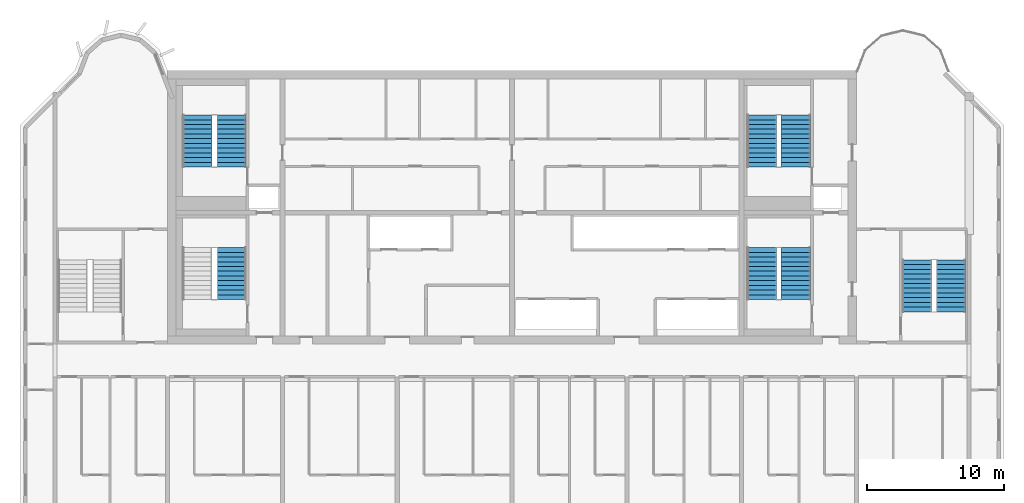
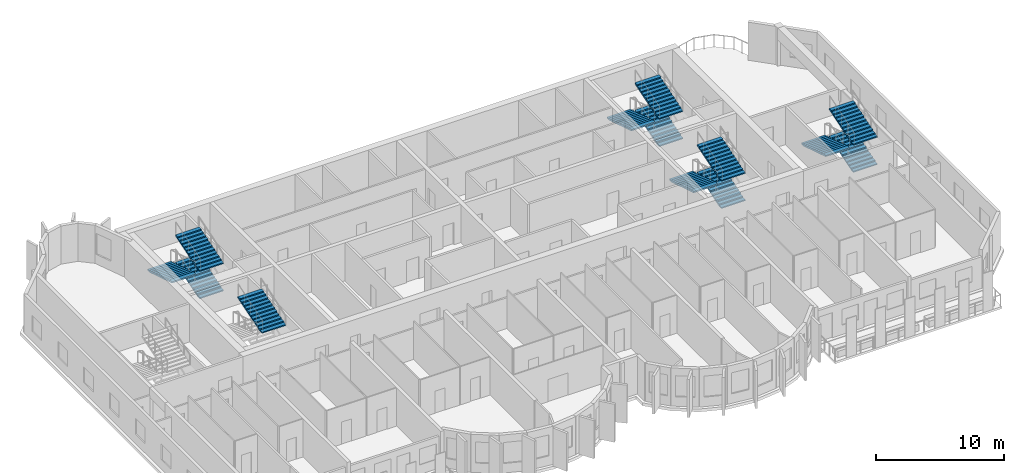
# One storey, part 9 of 12: 13 stair flights, 5 elements without a shape of their own.
"""IFC4 building model written with IfcOpenShell, lengths in metres."""

from ifc_helpers import new_model, si_unit, direction, frame, origin, place, context, subcontext, project, spatial, polyline, outline, extrude, source, transform, mapped, material, type_object, element, aggregate, save


model = new_model("IFC4")

# Units and contexts
model_context = context("Model", 3, precision=1e-05, world=origin(), true_north=direction((0.0, 1.0)))
body_context = subcontext(model_context, "Body", "Model", "MODEL_VIEW")
ifc_project = project(units=[si_unit("LENGTHUNIT", "METRE"), si_unit("AREAUNIT", "SQUARE_METRE"), si_unit("VOLUMEUNIT", "CUBIC_METRE"), si_unit("PLANEANGLEUNIT", "RADIAN"), si_unit("MASSUNIT", "GRAM", prefix="KILO")], contexts=[model_context])

# Site, building, storey
site_placement = place(None, origin())
site = spatial("IfcSite", under=ifc_project, at=site_placement, CompositionType="ELEMENT")
building_placement = place(site_placement, origin())
building = spatial("IfcBuilding", under=site, at=building_placement, Name="Vanashikhar Sky Hotel", CompositionType="ELEMENT")
storey_placement = place(building_placement, frame((0.0, 0.0, 221.800048828125)))
storey = spatial("IfcBuildingStorey", under=building, at=storey_placement, Name="L53", CompositionType="ELEMENT", Elevation=221.800048828125)

# Stair, stair flight
ifc_material = material(Name="Concrete M40", Category="concrete")
stair_type = type_object("IfcStairType", Name="Exit stair 2150", PredefinedType="DOUBLE_RETURN_STAIR", material=ifc_material)
stair_1_placement = place(storey_placement, origin())
stair_1 = element("IfcStair", 1, at=stair_1_placement, inside=storey, type_object=stair_type, Name="L53 Exit stair 1", PredefinedType="DOUBLE_RETURN_STAIR")
stair_flight_type = type_object("IfcStairFlightType", Name="Stair flight 2150", PredefinedType="STRAIGHT", material=ifc_material)
shared_shape = source(origin(), body_context, "Body", "SweptSolid", [
    extrude(outline(polyline([(0.0, 0.0), (0.0, 0.1083984375), (0.345458984375, 0.1083984375), (0.345458984375, 0.216552734375), (0.69091796875, 0.216552734375), (0.69091796875, 0.324951171875), (1.036376953125, 0.324951171875), (1.036376953125, 0.433349609375), (1.3818359375, 0.433349609375), (1.3818359375, 0.541748046875), (1.727294921875, 0.541748046875), (1.727294921875, 0.64990234375), (2.07275390625, 0.64990234375), (2.07275390625, 0.75830078125), (2.418212890625, 0.75830078125), (2.418212890625, 0.86669921875), (2.763671875, 0.86669921875), (2.763671875, 0.97509765625), (3.109130859375, 0.97509765625), (3.109130859375, 1.083251953125), (3.45458984375, 1.083251953125), (3.45458984375, 1.191650390625), (3.800048828125, 1.191650390625), (3.800048828125, 1.300048828125), (3.800048828125, 1.065673828125), (0.4013671875, 0.0), (0.0, 0.0)])), frame((0.0, 1.074951171875, 0.0), z_axis=(0.0, -1.0, 0.0), x_axis=(1.0, 0.0, 0.0)), (0.0, 0.0, 1.0), 2.14990234375),
])
stair_flight_1_placement = place(storey_placement, frame((29.875, 25.25, 2.599853515625), z_axis=(0.0, 0.0, 1.0), x_axis=(0.0, 1.0, 0.0)))
stair_flight_1 = element("IfcStairFlight", 2, at=stair_flight_1_placement, type_object=stair_flight_type, Name="ST-C1 flight 3", NumberOfRisers=12, NumberOfTreads=11, PredefinedType="STRAIGHT", RiserHeight=0.108333333, TreadLength=0.345454545, context=body_context, shape_type="MappedRepresentation", body=[
    mapped(shared_shape, transform((0.0, 0.0, 0.0), scale=1.0)),
])
aggregate(stair_1, [stair_flight_1])

# Stair, stair flights
stair_2_placement = place(storey_placement, origin())
stair_2 = element("IfcStair", 3, at=stair_2_placement, inside=storey, type_object=stair_type, Name="L53 Exit stair 2", PredefinedType="DOUBLE_RETURN_STAIR")
stair_flight_2_placement = place(storey_placement, frame((71.175048828125, 25.25, 0.0), z_axis=(0.0, 0.0, 1.0), x_axis=(0.0, 1.0, 0.0)))
stair_flight_2 = element("IfcStairFlight", 4, at=stair_flight_2_placement, type_object=stair_flight_type, Name="ST-C2 flight 1", NumberOfRisers=12, NumberOfTreads=11, PredefinedType="STRAIGHT", RiserHeight=0.108333333, TreadLength=0.345454545, context=body_context, shape_type="MappedRepresentation", body=[
    mapped(shared_shape, transform((0.0, 0.0, 0.0), scale=1.0)),
])
stair_flight_3_placement = place(storey_placement, frame((68.675048828125, 29.050048828125, 1.300048828125), z_axis=(0.0, 0.0, 1.0), x_axis=(0.0, -1.0, 0.0)))
stair_flight_3 = element("IfcStairFlight", 5, at=stair_flight_3_placement, type_object=stair_flight_type, Name="ST-C2 flight 2", NumberOfRisers=12, NumberOfTreads=11, PredefinedType="STRAIGHT", RiserHeight=0.108333333, TreadLength=0.345454545, context=body_context, shape_type="MappedRepresentation", body=[
    mapped(shared_shape, transform((0.0, 0.0, 0.0), scale=1.0)),
])
stair_flight_4_placement = place(storey_placement, frame((71.175048828125, 25.25, 2.599853515625), z_axis=(0.0, 0.0, 1.0), x_axis=(0.0, 1.0, 0.0)))
stair_flight_4 = element("IfcStairFlight", 6, at=stair_flight_4_placement, type_object=stair_flight_type, Name="ST-C2 flight 3", NumberOfRisers=12, NumberOfTreads=11, PredefinedType="STRAIGHT", RiserHeight=0.108333333, TreadLength=0.345454545, context=body_context, shape_type="MappedRepresentation", body=[
    mapped(shared_shape, transform((0.0, 0.0, 0.0), scale=1.0)),
])
aggregate(stair_2, [stair_flight_2, stair_flight_3, stair_flight_4])

stair_3_placement = place(storey_placement, origin())
stair_3 = element("IfcStair", 7, at=stair_3_placement, inside=storey, type_object=stair_type, Name="L53 Exit stair 4", PredefinedType="DOUBLE_RETURN_STAIR")
stair_flight_5_placement = place(storey_placement, frame((82.52490234375, 24.35009765625, 0.0), z_axis=(0.0, 0.0, 1.0), x_axis=(0.0, 1.0, 0.0)))
stair_flight_5 = element("IfcStairFlight", 8, at=stair_flight_5_placement, type_object=stair_flight_type, Name="ST-E flight 1", NumberOfRisers=12, NumberOfTreads=11, PredefinedType="STRAIGHT", RiserHeight=0.108333333, TreadLength=0.345454545, context=body_context, shape_type="MappedRepresentation", body=[
    mapped(shared_shape, transform((0.0, 0.0, 0.0), scale=1.0)),
])
stair_flight_6_placement = place(storey_placement, frame((80.02490234375, 28.14990234375, 1.300048828125), z_axis=(0.0, 0.0, 1.0), x_axis=(0.0, -1.0, 0.0)))
stair_flight_6 = element("IfcStairFlight", 9, at=stair_flight_6_placement, type_object=stair_flight_type, Name="ST-E flight 2", NumberOfRisers=12, NumberOfTreads=11, PredefinedType="STRAIGHT", RiserHeight=0.108333333, TreadLength=0.345454545, context=body_context, shape_type="MappedRepresentation", body=[
    mapped(shared_shape, transform((0.0, 0.0, 0.0), scale=1.0)),
])
stair_flight_7_placement = place(storey_placement, frame((82.52490234375, 24.35009765625, 2.599853515625), z_axis=(0.0, 0.0, 1.0), x_axis=(0.0, 1.0, 0.0)))
stair_flight_7 = element("IfcStairFlight", 10, at=stair_flight_7_placement, type_object=stair_flight_type, Name="ST-E flight 3", NumberOfRisers=12, NumberOfTreads=11, PredefinedType="STRAIGHT", RiserHeight=0.108333333, TreadLength=0.345454545, context=body_context, shape_type="MappedRepresentation", body=[
    mapped(shared_shape, transform((0.0, 0.0, 0.0), scale=1.0)),
])
aggregate(stair_3, [stair_flight_5, stair_flight_6, stair_flight_7])

stair_4_placement = place(storey_placement, origin())
stair_4 = element("IfcStair", 11, at=stair_4_placement, inside=storey, type_object=stair_type, Name="L53 Exit stair 5", PredefinedType="DOUBLE_RETURN_STAIR")
stair_flight_8_placement = place(storey_placement, frame((29.875, 34.949951171875, 0.0), z_axis=(0.0, 0.0, 1.0), x_axis=(0.0, 1.0, 0.0)))
stair_flight_8 = element("IfcStairFlight", 12, at=stair_flight_8_placement, type_object=stair_flight_type, Name="ST-C3 flight 1", NumberOfRisers=12, NumberOfTreads=11, PredefinedType="STRAIGHT", RiserHeight=0.108333333, TreadLength=0.345454545, context=body_context, shape_type="MappedRepresentation", body=[
    mapped(shared_shape, transform((0.0, 0.0, 0.0), scale=1.0)),
])
stair_flight_9_placement = place(storey_placement, frame((27.375, 38.75, 1.300048828125), z_axis=(0.0, 0.0, 1.0), x_axis=(0.0, -1.0, 0.0)))
stair_flight_9 = element("IfcStairFlight", 13, at=stair_flight_9_placement, type_object=stair_flight_type, Name="ST-C3 flight 2", NumberOfRisers=12, NumberOfTreads=11, PredefinedType="STRAIGHT", RiserHeight=0.108333333, TreadLength=0.345454545, context=body_context, shape_type="MappedRepresentation", body=[
    mapped(shared_shape, transform((0.0, 0.0, 0.0), scale=1.0)),
])
stair_flight_10_placement = place(storey_placement, frame((29.875, 34.949951171875, 2.599853515625), z_axis=(0.0, 0.0, 1.0), x_axis=(0.0, 1.0, 0.0)))
stair_flight_10 = element("IfcStairFlight", 14, at=stair_flight_10_placement, type_object=stair_flight_type, Name="ST-C3 flight 3", NumberOfRisers=12, NumberOfTreads=11, PredefinedType="STRAIGHT", RiserHeight=0.108333333, TreadLength=0.345454545, context=body_context, shape_type="MappedRepresentation", body=[
    mapped(shared_shape, transform((0.0, 0.0, 0.0), scale=1.0)),
])
aggregate(stair_4, [stair_flight_8, stair_flight_9, stair_flight_10])

stair_5_placement = place(storey_placement, origin())
stair_5 = element("IfcStair", 15, at=stair_5_placement, inside=storey, type_object=stair_type, Name="L53 Exit stair 6", PredefinedType="DOUBLE_RETURN_STAIR")
stair_flight_11_placement = place(storey_placement, frame((71.175048828125, 34.949951171875, 0.0), z_axis=(0.0, 0.0, 1.0), x_axis=(0.0, 1.0, 0.0)))
stair_flight_11 = element("IfcStairFlight", 16, at=stair_flight_11_placement, type_object=stair_flight_type, Name="ST-C4 flight 1", NumberOfRisers=12, NumberOfTreads=11, PredefinedType="STRAIGHT", RiserHeight=0.108333333, TreadLength=0.345454545, context=body_context, shape_type="MappedRepresentation", body=[
    mapped(shared_shape, transform((0.0, 0.0, 0.0), scale=1.0)),
])
stair_flight_12_placement = place(storey_placement, frame((68.675048828125, 38.75, 1.300048828125), z_axis=(0.0, 0.0, 1.0), x_axis=(0.0, -1.0, 0.0)))
stair_flight_12 = element("IfcStairFlight", 17, at=stair_flight_12_placement, type_object=stair_flight_type, Name="ST-C4 flight 2", NumberOfRisers=12, NumberOfTreads=11, PredefinedType="STRAIGHT", RiserHeight=0.108333333, TreadLength=0.345454545, context=body_context, shape_type="MappedRepresentation", body=[
    mapped(shared_shape, transform((0.0, 0.0, 0.0), scale=1.0)),
])
stair_flight_13_placement = place(storey_placement, frame((71.175048828125, 34.949951171875, 2.599853515625), z_axis=(0.0, 0.0, 1.0), x_axis=(0.0, 1.0, 0.0)))
stair_flight_13 = element("IfcStairFlight", 18, at=stair_flight_13_placement, type_object=stair_flight_type, Name="ST-C4 flight 3", NumberOfRisers=12, NumberOfTreads=11, PredefinedType="STRAIGHT", RiserHeight=0.108333333, TreadLength=0.345454545, context=body_context, shape_type="MappedRepresentation", body=[
    mapped(shared_shape, transform((0.0, 0.0, 0.0), scale=1.0)),
])
aggregate(stair_5, [stair_flight_11, stair_flight_12, stair_flight_13])

save(model, "model.ifc")
